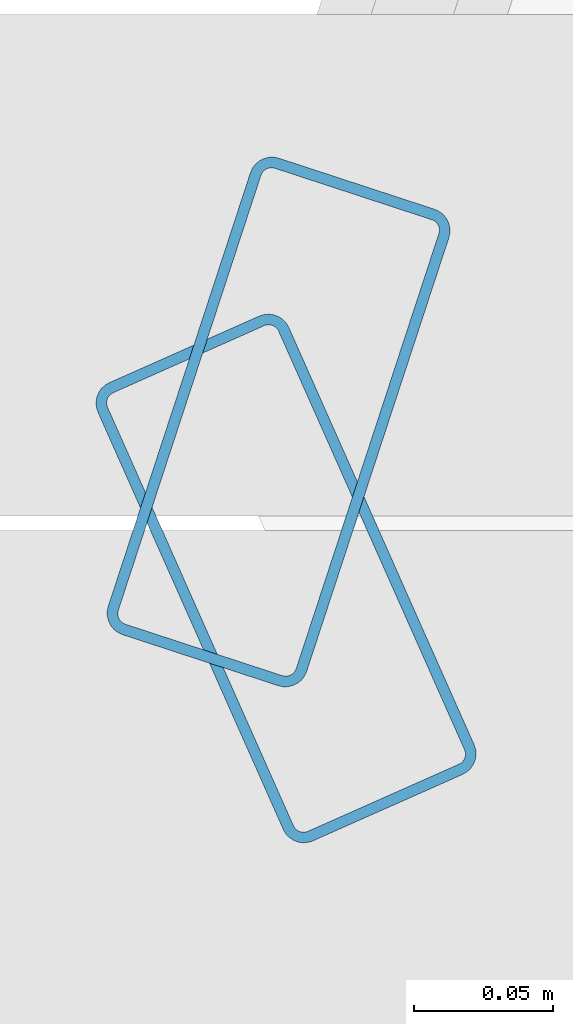
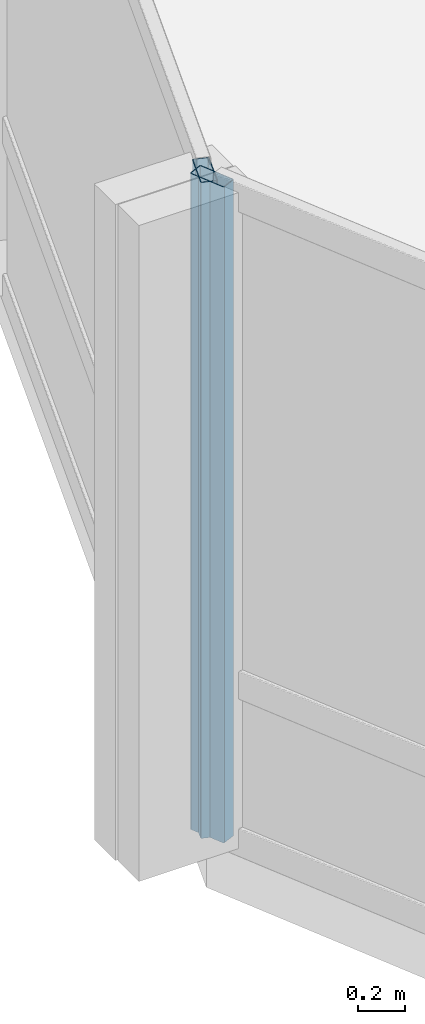
# One storey, part 6 of 34: 2 members, 2 elements without a shape of their own.
"""IFC4 building model written with IfcOpenShell, lengths in metres."""

from ifc_helpers import new_model, si_unit, direction, frame, origin, origin_2d, place, context, subcontext, project, spatial, hollow_rectangle, extrude, material, layer, layer_set, material_profile, profile_set, type_object, element, aggregate, save


model = new_model("IFC4")

# Units and contexts
model_context = context("Model", 3, precision=1e-05, world=origin(), true_north=direction((0.0, 1.0)))
body_context = subcontext(model_context, "Body", "Model", "MODEL_VIEW")
ifc_project = project(units=[si_unit("LENGTHUNIT", "METRE"), si_unit("AREAUNIT", "SQUARE_METRE"), si_unit("VOLUMEUNIT", "CUBIC_METRE"), si_unit("PLANEANGLEUNIT", "RADIAN"), si_unit("MASSUNIT", "GRAM", prefix="KILO")], contexts=[model_context])

# Site, building, storey
site_placement = place(None, origin())
site = spatial("IfcSite", under=ifc_project, at=site_placement, CompositionType="ELEMENT")
building_placement = place(site_placement, origin())
building = spatial("IfcBuilding", under=site, at=building_placement, Name="Solvaryn Broadcast Tower", CompositionType="ELEMENT")
storey_placement = place(building_placement, frame((0.0, 0.0, 47.10009765625)))
storey = spatial("IfcBuildingStorey", under=building, at=storey_placement, Name="L10", CompositionType="ELEMENT", Elevation=47.10009765625)

# Curtain wall, member
ifc_material_1 = material(Name="Aluminium and Terracotta Unitised Curtain Wall", Category="masonry")
ifc_layer_1 = layer(ifc_material_1, 0.199951171875)
ifc_layer_set_1 = layer_set([ifc_layer_1], Name="CW-SYS2-LOWMID")
curtain_wall_type_1 = type_object("IfcCurtainWallType", Name="CW-SYS2-LOWMID", PredefinedType="NOTDEFINED", material=ifc_layer_set_1)
curtain_wall_1_placement = place(storey_placement, origin())
curtain_wall_1 = element("IfcCurtainWall", 1, at=curtain_wall_1_placement, inside=storey, type_object=curtain_wall_type_1, Name="L10 Curtain Wall DR1", PredefinedType="NOTDEFINED")
ifc_material_2 = material(Name="Anodised Aluminium 6063-T6", Category="aluminium")
ifc_material_profile = material_profile(ifc_material_2, hollow_rectangle(XDim=0.074951171875, YDim=0.179931640625, WallThickness=0.00390625, InnerFilletRadius=0.00390625, OuterFilletRadius=0.008056640625, at=origin_2d()))
ifc_profile_set = profile_set([ifc_material_profile], Name="Anodised Aluminium 6063-T6")
member_type = type_object("IfcMemberType", Name="CW-MUL-180", PredefinedType="MULLION", material=ifc_profile_set)
member_1_placement = place(storey_placement, frame((-0.45458984375, 26.588623046875, 0.0), z_axis=(0.0, 0.0, 1.0), x_axis=(0.950215318429, -0.311594044587, 0.0)))
member_1 = element("IfcMember", 2, at=member_1_placement, type_object=member_type, Name="CWS2 mullion 2", PredefinedType="MULLION", context=body_context, shape_type="SweptSolid", body=[
    extrude(hollow_rectangle(XDim=0.074951171875, YDim=0.179931640625, WallThickness=0.00390625, InnerFilletRadius=0.00390625, OuterFilletRadius=0.008056640625, at=origin_2d()), origin(), (0.0, 0.0, 1.0), 3.419921875),
])
aggregate(curtain_wall_1, [member_1])

ifc_material_3 = material(Name="Aluminium and Terracotta Unitised Curtain Wall", Category="masonry")
ifc_layer_2 = layer(ifc_material_3, 0.239990234375)
ifc_layer_set_2 = layer_set([ifc_layer_2], Name="CW-SYS3-BAYBOX")
curtain_wall_type_2 = type_object("IfcCurtainWallType", Name="CW-SYS3-BAYBOX", PredefinedType="NOTDEFINED", material=ifc_layer_set_2)
curtain_wall_2_placement = place(storey_placement, origin())
curtain_wall_2 = element("IfcCurtainWall", 3, at=curtain_wall_2_placement, inside=storey, type_object=curtain_wall_type_2, Name="L10 Curtain Wall DR2", PredefinedType="NOTDEFINED")
member_2_placement = place(storey_placement, frame((-0.451904296875, 26.532470703125, 0.0), z_axis=(0.0, 0.0, 1.0), x_axis=(0.913918257271, 0.405898286554, 0.0)))
member_2 = element("IfcMember", 4, at=member_2_placement, type_object=member_type, Name="CWS3 mullion 1", PredefinedType="MULLION", context=body_context, shape_type="SweptSolid", body=[
    extrude(hollow_rectangle(XDim=0.074951171875, YDim=0.179931640625, WallThickness=0.00390625, InnerFilletRadius=0.00390625, OuterFilletRadius=0.008056640625, at=origin_2d()), origin(), (0.0, 0.0, 1.0), 3.419921875),
])
aggregate(curtain_wall_2, [member_2])

save(model, "model.ifc")
